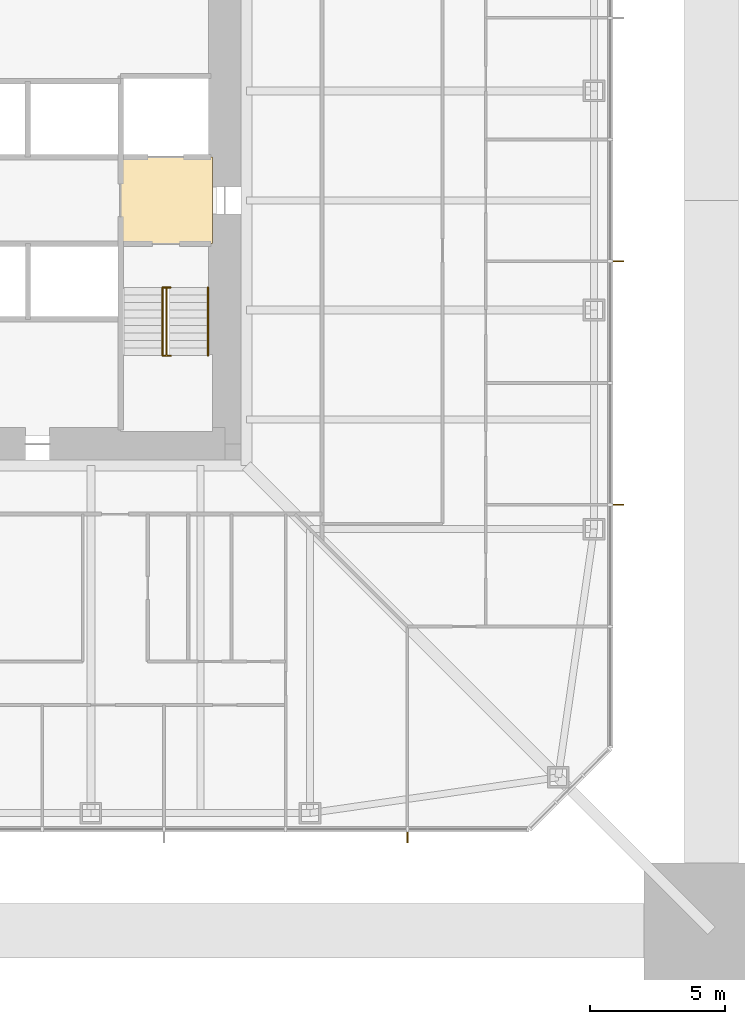
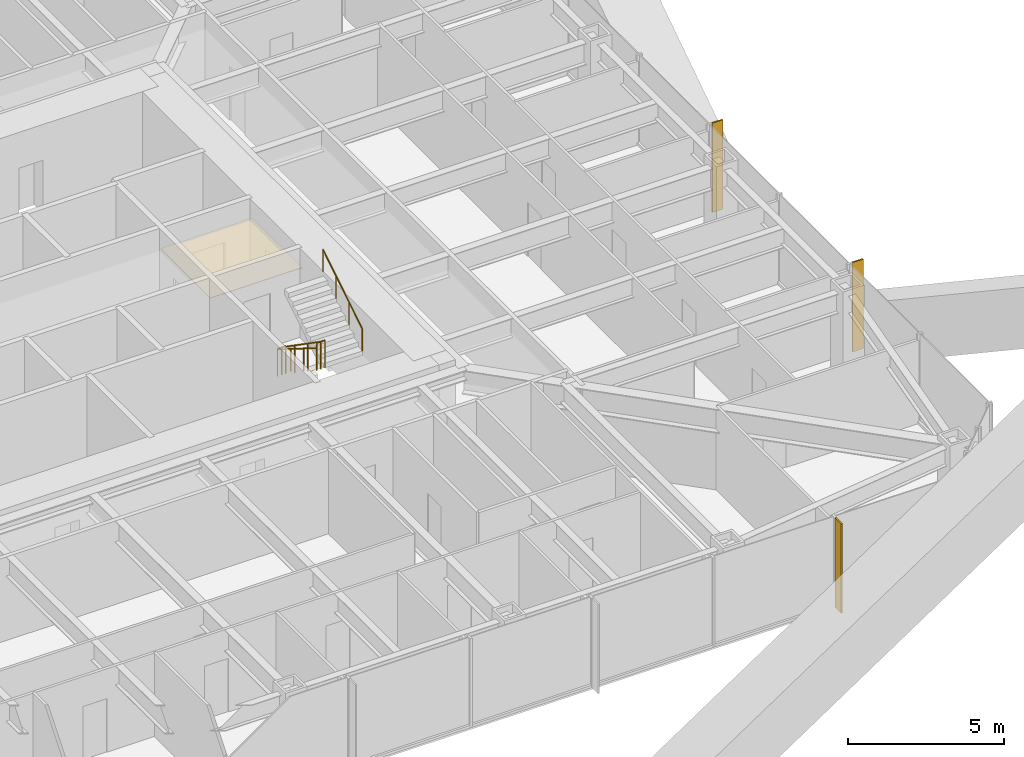
# One storey, part 25 of 27: 3 railings, 3 shading devices, 1 covering.
"""IFC4 building model written with IfcOpenShell, lengths in metres."""

from ifc_helpers import new_model, si_unit, direction, frame, origin, origin_2d, place, context, subcontext, project, spatial, polyline, rectangle, circle, outline, extrude, material, layer, layer_set, constituent, constituent_set, type_object, element, save


model = new_model("IFC4")

# Units and contexts
model_context = context("Model", 3, precision=1e-05, world=origin(), true_north=direction((0.0, 1.0)))
body_context = subcontext(model_context, "Body", "Model", "MODEL_VIEW")
ifc_project = project(units=[si_unit("LENGTHUNIT", "METRE"), si_unit("AREAUNIT", "SQUARE_METRE"), si_unit("VOLUMEUNIT", "CUBIC_METRE"), si_unit("PLANEANGLEUNIT", "RADIAN"), si_unit("MASSUNIT", "GRAM", prefix="KILO")], contexts=[model_context])

# Site, building, storey
site_placement = place(None, origin())
site = spatial("IfcSite", under=ifc_project, at=site_placement, CompositionType="ELEMENT")
building_placement = place(site_placement, origin())
building = spatial("IfcBuilding", under=site, at=building_placement, Name="Iwan Alto Co-Living Towers", CompositionType="ELEMENT")
storey_placement = place(building_placement, frame((0.0, 0.0, 25.5)))
storey = spatial("IfcBuildingStorey", under=building, at=storey_placement, Name="L06", CompositionType="ELEMENT", Elevation=25.5)

# Covering
ifc_material_1 = material(Name="Mineral fibre acoustic tiles on steel grid", Category="steel")
ifc_layer_1 = layer(ifc_material_1, 0.02001953125)
ifc_layer_set_1 = layer_set([ifc_layer_1], Name="ACOUSTIC TILE CEILING 20")
covering_type = type_object("IfcCoveringType", Name="ACOUSTIC TILE CEILING 20", PredefinedType="CEILING", material=ifc_layer_set_1)
covering_placement = place(storey_placement, frame((0.0, 0.0, 2.60009765625)))
element("IfcCovering", 1, at=covering_placement, inside=storey, type_object=covering_type, Name="Ceiling Firefighting lobby L06", PredefinedType="CEILING", context=body_context, shape_type="SweptSolid", body=[
    extrude(outline(polyline([(5.14990234375, -1.60009765625), (5.14990234375, 1.60009765625), (8.550048828125, 1.60009765625), (8.550048828125, -1.60009765625), (5.14990234375, -1.60009765625)])), origin(), (0.0, 0.0, 1.0), 0.02001953125),
])

# Shading devices
ifc_material_2 = material(Name="Aluminium 6063-T6 bronze anodised", Category="aluminium")
ifc_layer_2 = layer(ifc_material_2, 0.050048828125)
ifc_layer_set_2 = layer_set([ifc_layer_2], Name="BRONZE FIN 50X400")
shading_device_type = type_object("IfcShadingDeviceType", Name="BRONZE FIN 50X400", PredefinedType="USERDEFINED", material=ifc_layer_set_2)
for number, where, z_axis, x_axis, name in (
    (2, (15.75, -23.550048828125, 0.0), (0.0, 0.0, 1.0), (1.0, 0.0, 0.0), "Bronze fin L06"),
    (3, (23.550048828125, -11.25, 0.0), (0.0, 0.0, 1.0), (0.0, 1.0, 0.0), "Bronze fin L06"),
    (4, (23.550048828125, -2.25, 0.0), (0.0, 0.0, 1.0), (0.0, 1.0, 0.0), "Bronze fin L06"),
):
    element("IfcShadingDevice", number, at=place(storey_placement, frame(where, z_axis=z_axis, x_axis=x_axis)), inside=storey, type_object=shading_device_type, Name=name, ObjectType="LOUVER", PredefinedType="USERDEFINED", context=body_context, shape_type="SweptSolid", body=[
        extrude(rectangle(XDim=0.050048828125, YDim=0.39990234375, at=origin_2d()), origin(), (0.0, 0.0, 1.0), 3.5),
    ])

# Railings
ifc_material_3 = material(Name="Steel ASTM A500 Gr C", Category="steel")
ifc_constituent_1 = constituent(ifc_material_3, Name="Rails and posts", Category="Framing")
ifc_material_4 = material(Name="Steel ASTM A36", Category="steel")
ifc_constituent_2 = constituent(ifc_material_4, Name="Bar infill", Category="Infill")
ifc_constituent_set = constituent_set(constituents=[ifc_constituent_1, ifc_constituent_2], Name="STAIR GUARD 1100")
railing_type_1 = type_object("IfcRailingType", Name="STAIR GUARD 1100", PredefinedType="GUARDRAIL", material=ifc_constituent_set)
railing_1_placement = place(storey_placement, frame((6.85009765625, -3.219970703125, 0.0)))
element("IfcRailing", 5, at=railing_1_placement, inside=storey, type_object=railing_type_1, Name="Stair T1-S2 well guard L06", PredefinedType="GUARDRAIL", context=body_context, shape_type="SweptSolid", body=[
    extrude(circle(Radius=0.02392578125, at=origin_2d()), frame((0.0, 0.0, 1.076171875), z_axis=(0.0, -0.821372036852, 0.570392826987), x_axis=(1.0, 0.0, 0.0)), (0.0, 0.0, 1.0), 3.068115234375),
    extrude(circle(Radius=0.02392578125, at=origin_2d()), frame((-0.150146484375, 0.0, 1.076171875), z_axis=(1.0, 0.0, 0.0), x_axis=(0.0, 1.0, 0.0)), (0.0, 0.0, 1.0), 0.300048828125),
    extrude(circle(Radius=0.02392578125, at=origin_2d()), frame((-0.150146484375, -2.52001953125, 2.826171875), z_axis=(1.0, 0.0, 0.0), x_axis=(0.0, 1.0, 0.0)), (0.0, 0.0, 1.0), 0.300048828125),
    extrude(circle(Radius=0.02099609375, at=origin_2d()), origin(), (0.0, 0.0, 1.0), 1.052001953125),
    extrude(circle(Radius=0.02099609375, at=origin_2d()), frame((0.0, -0.840087890625, 0.583251953125)), (0.0, 0.0, 1.0), 1.052001953125),
    extrude(circle(Radius=0.02099609375, at=origin_2d()), frame((0.0, -1.679931640625, 1.166748046875)), (0.0, 0.0, 1.0), 1.052001953125),
    extrude(circle(Radius=0.02099609375, at=origin_2d()), frame((0.0, -2.52001953125, 1.75)), (0.0, 0.0, 1.0), 1.052001953125),
    extrude(circle(Radius=0.02099609375, at=origin_2d()), frame((-0.150146484375, 0.0, 0.0)), (0.0, 0.0, 1.0), 1.052001953125),
    extrude(circle(Radius=0.02099609375, at=origin_2d()), frame((0.14990234375, 0.0, 0.0)), (0.0, 0.0, 1.0), 1.052001953125),
    extrude(circle(Radius=0.02099609375, at=origin_2d()), frame((-0.150146484375, -2.52001953125, 1.75)), (0.0, 0.0, 1.0), 1.052001953125),
    extrude(circle(Radius=0.02099609375, at=origin_2d()), frame((0.14990234375, -2.52001953125, 1.75)), (0.0, 0.0, 1.0), 1.052001953125),
])
ifc_material_5 = material(Name="Steel ASTM A500 Gr C", Category="steel")
railing_type_2 = type_object("IfcRailingType", Name="STAIR HANDRAIL 900", PredefinedType="HANDRAIL", material=ifc_material_5)
railing_2_placement = place(storey_placement, frame((6.699951171875, -3.219970703125, 0.175048828125)))
element("IfcRailing", 6, at=railing_2_placement, inside=storey, type_object=railing_type_2, Name="Stair T1-S2 handrail 1 L06", PredefinedType="HANDRAIL", context=body_context, shape_type="SweptSolid", body=[
    extrude(circle(Radius=0.02392578125, at=origin_2d()), frame((0.0, 0.0, 0.8759765625), z_axis=(0.0, -0.848007534815, 0.529984170421), x_axis=(1.0, 0.0, 0.0)), (0.0, 0.0, 1.0), 2.9716796875),
    extrude(circle(Radius=0.02099609375, at=origin_2d()), origin(), (0.0, 0.0, 1.0), 0.851806640625),
    extrude(circle(Radius=0.02099609375, at=origin_2d()), frame((0.0, -0.840087890625, 0.52490234375)), (0.0, 0.0, 1.0), 0.851806640625),
    extrude(circle(Radius=0.02099609375, at=origin_2d()), frame((0.0, -1.679931640625, 1.050048828125)), (0.0, 0.0, 1.0), 0.851806640625),
    extrude(circle(Radius=0.02099609375, at=origin_2d()), frame((0.0, -2.52001953125, 1.574951171875)), (0.0, 0.0, 1.0), 0.851806640625),
])
railing_3_placement = place(storey_placement, frame((8.3798828125, -5.739990234375, 1.925048828125)))
element("IfcRailing", 7, at=railing_3_placement, inside=storey, type_object=railing_type_2, Name="Stair T1-S2 handrail 2 L06", PredefinedType="HANDRAIL", context=body_context, shape_type="SweptSolid", body=[
    extrude(circle(Radius=0.02392578125, at=origin_2d()), frame((0.0, 0.0, 0.8759765625), z_axis=(0.0, 0.848007534815, 0.529984170421), x_axis=(-1.0, 0.0, 0.0)), (0.0, 0.0, 1.0), 2.9716796875),
    extrude(circle(Radius=0.02099609375, at=origin_2d()), origin(), (0.0, 0.0, 1.0), 0.851806640625),
    extrude(circle(Radius=0.02099609375, at=origin_2d()), frame((0.0, 0.840087890625, 0.52490234375)), (0.0, 0.0, 1.0), 0.851806640625),
    extrude(circle(Radius=0.02099609375, at=origin_2d()), frame((0.0, 1.679931640625, 1.050048828125)), (0.0, 0.0, 1.0), 0.851806640625),
    extrude(circle(Radius=0.02099609375, at=origin_2d()), frame((0.0, 2.52001953125, 1.574951171875)), (0.0, 0.0, 1.0), 0.851806640625),
])

save(model, "model.ifc")
